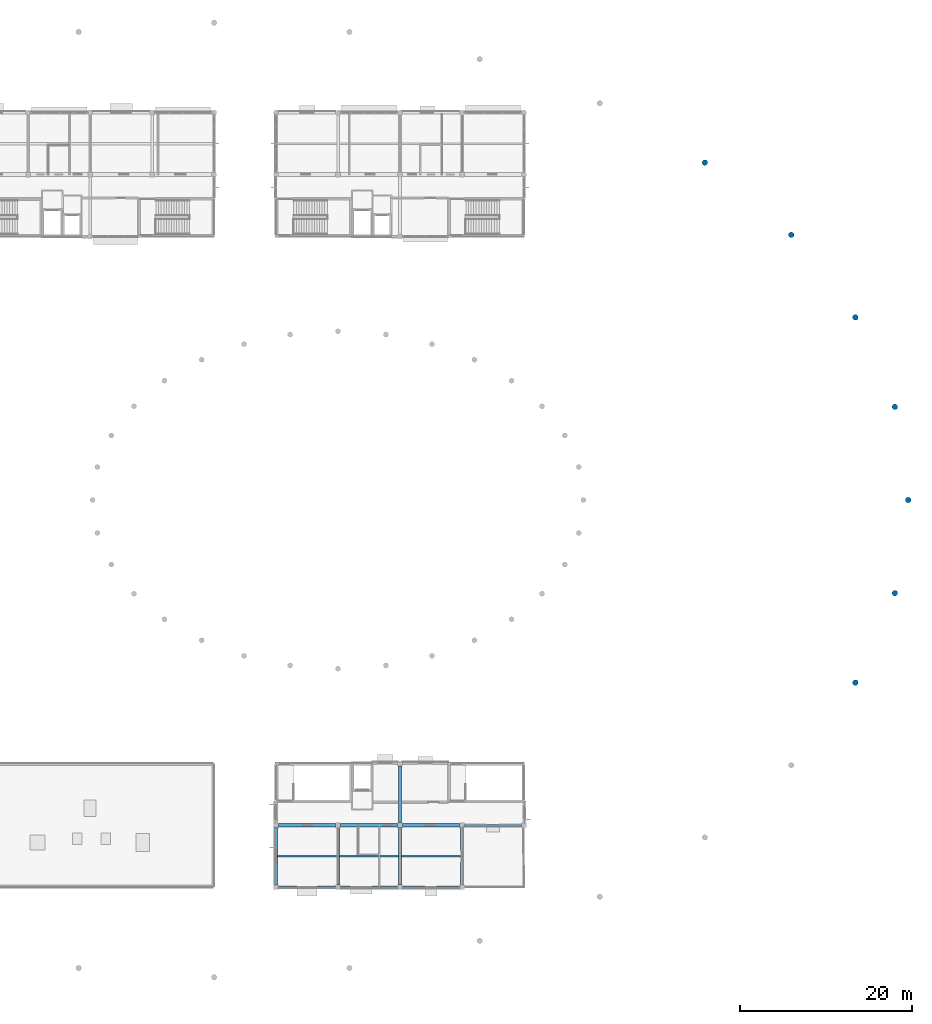
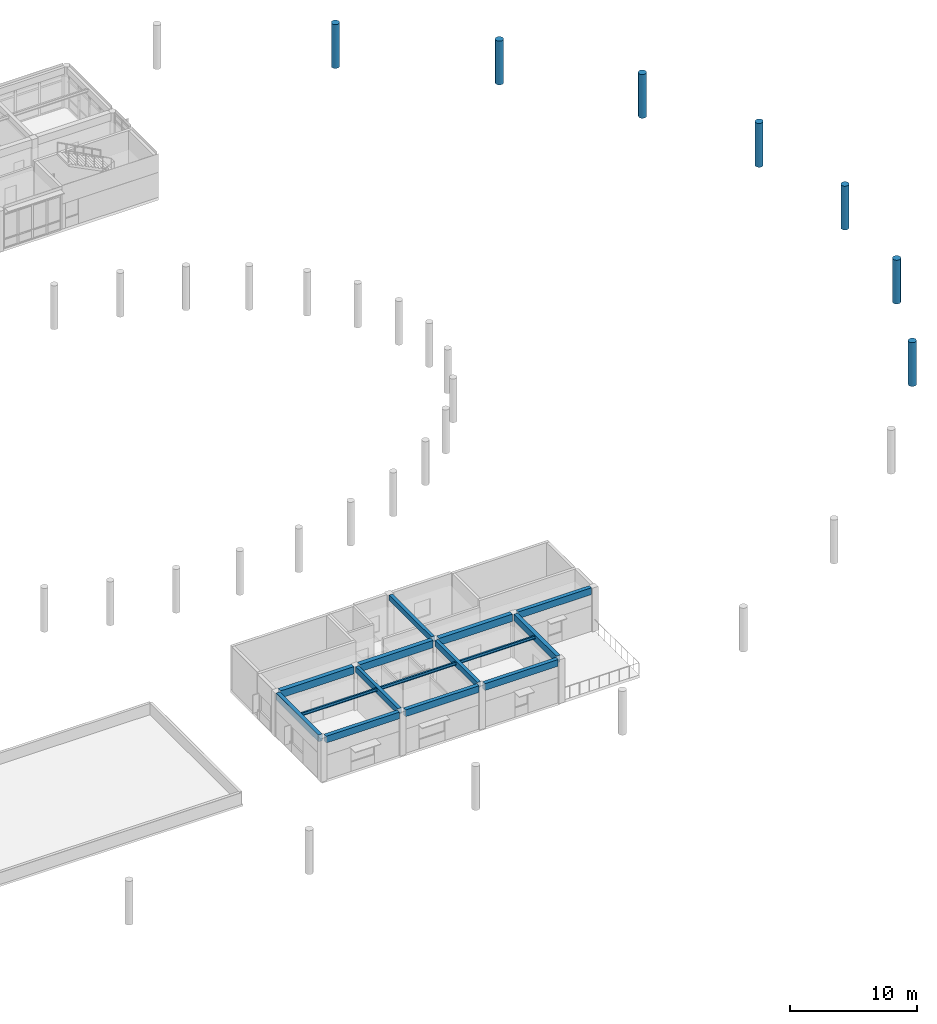
# One storey, part 2 of 29: 15 beams, 7 columns.
"""IFC4 building model written with IfcOpenShell, lengths in metres."""

from ifc_helpers import new_model, si_unit, direction, frame, origin, origin_2d, place, context, subcontext, project, spatial, rectangle, circle, i_section, extrude, material, material_profile, profile_set, type_object, element, save


model = new_model("IFC4")

# Units and contexts
model_context = context("Model", 3, precision=1e-05, world=origin(), true_north=direction((0.0, 1.0)))
body_context = subcontext(model_context, "Body", "Model", "MODEL_VIEW")
ifc_project = project(units=[si_unit("LENGTHUNIT", "METRE"), si_unit("AREAUNIT", "SQUARE_METRE"), si_unit("VOLUMEUNIT", "CUBIC_METRE"), si_unit("PLANEANGLEUNIT", "RADIAN"), si_unit("MASSUNIT", "GRAM", prefix="KILO")], contexts=[model_context])

# Site, building, storey
site_placement = place(None, origin())
site = spatial("IfcSite", under=ifc_project, at=site_placement, CompositionType="ELEMENT")
building_placement = place(site_placement, origin())
building = spatial("IfcBuilding", under=site, at=building_placement, Name="Namkhue Oval Health Centre", CompositionType="ELEMENT")
storey_placement = place(building_placement, frame((0.0, 0.0, 18.0)))
storey = spatial("IfcBuildingStorey", under=building, at=storey_placement, Name="L04", CompositionType="ELEMENT", Elevation=18.0)

# Columns
ifc_material_1 = material(Name="Reinforced concrete C35/45 (TCVN B40)", Category="concrete")
ifc_material_profile_1 = material_profile(ifc_material_1, circle(Radius=0.324951171875, at=origin_2d()), Name="RC D650")
ifc_profile_set_1 = profile_set([ifc_material_profile_1], Name="Reinforced concrete C35/45 (TCVN B40)")
column_type = type_object("IfcColumnType", Name="RC COLUMN D650 EXT", PredefinedType="COLUMN", material=ifc_profile_set_1)
for number, where, z_axis, x_axis, name in (
    (1, (167.0400390625, 59.39990234375, 0.0), (0.0, 0.0, 1.0), (1.0, 0.0, 0.0), "Gridshell OR Colonnade Column 1 L04"),
    (2, (165.490478515625, 70.2158203125, 0.0), (0.0, 0.0, 1.0), (1.0, 0.0, 0.0), "Gridshell OR Colonnade Column 2 L04"),
    (3, (160.901611328125, 80.615966796875, 0.0), (0.0, 0.0, 1.0), (1.0, 0.0, 0.0), "Gridshell OR Colonnade Column 3 L04"),
    (4, (153.44970703125, 90.200927734375, 0.0), (0.0, 0.0, 1.0), (1.0, 0.0, 0.0), "Gridshell OR Colonnade Column 4 L04"),
    (5, (143.421142578125, 98.60205078125, 0.0), (0.0, 0.0, 1.0), (1.0, 0.0, 0.0), "Gridshell OR Colonnade Column 5 L04"),
    (6, (160.901611328125, 38.18408203125, 0.0), (0.0, 0.0, 1.0), (1.0, 0.0, 0.0), "Gridshell OR Colonnade Column 31 L04"),
    (7, (165.490478515625, 48.584228515625, 0.0), (0.0, 0.0, 1.0), (1.0, 0.0, 0.0), "Gridshell OR Colonnade Column 32 L04"),
):
    element("IfcColumn", number, at=place(storey_placement, frame(where, z_axis=z_axis, x_axis=x_axis)), inside=storey, type_object=column_type, Name=name, PredefinedType="COLUMN", context=body_context, shape_type="SweptSolid", body=[
        extrude(circle(Radius=0.324951171875, at=origin_2d()), origin(), (0.0, 0.0, 1.0), 4.199951171875),
    ])

# Beams
ifc_material_2 = material(Name="Reinforced concrete C30/37 (TCVN B35)", Category="concrete")
ifc_material_profile_2 = material_profile(ifc_material_2, rectangle(XDim=0.300048828125, YDim=0.550048828125, at=origin_2d()), Name="RC 300x550")
ifc_profile_set_2 = profile_set([ifc_material_profile_2], Name="Reinforced concrete C30/37 (TCVN B35)")
beam_type_1 = type_object("IfcBeamType", Name="FLOOR BEAM RC 300X550", PredefinedType="BEAM", material=ifc_profile_set_2)
for number, where, z_axis, x_axis, name in (
    (8, (100.800048828125, 14.675048828125, 3.925048828125), (0.0, 1.0, 0.0), (-1.0, 0.0, 0.0), "Volume V5 L05 Beam 15/C-D"),
    (9, (108.0, 14.675048828125, 3.925048828125), (0.0, 1.0, 0.0), (-1.0, 0.0, 0.0), "Volume V5 L05 Beam 16/C-D"),
    (10, (108.0, 21.875, 3.925048828125), (0.0, 1.0, 0.0), (-1.0, 0.0, 0.0), "Volume V5 L05 Beam 16/D-E"),
):
    element("IfcBeam", number, at=place(storey_placement, frame(where, z_axis=z_axis, x_axis=x_axis)), inside=storey, type_object=beam_type_1, Name=name, PredefinedType="BEAM", context=body_context, shape_type="SweptSolid", body=[
        extrude(rectangle(XDim=0.300048828125, YDim=0.550048828125, at=origin_2d()), origin(), (0.0, 0.0, 1.0), 6.64990234375),
    ])
ifc_material_profile_3 = material_profile(ifc_material_1, rectangle(XDim=0.35009765625, YDim=0.64990234375, at=origin_2d()), Name="RC 350x650")
ifc_profile_set_3 = profile_set([ifc_material_profile_3], Name="Reinforced concrete C35/45 (TCVN B40)")
beam_type_2 = type_object("IfcBeamType", Name="PERIMETER SPANDREL BEAM 350X650", PredefinedType="SPANDREL", material=ifc_profile_set_3)
beam_1_placement = place(storey_placement, frame((93.875, 14.39990234375, 3.875), z_axis=(1.0, 0.0, 0.0), x_axis=(0.0, 1.0, 0.0)))
element("IfcBeam", 11, at=beam_1_placement, inside=storey, type_object=beam_type_2, Name="Volume V5 L05 Girder C/14-15", PredefinedType="SPANDREL", context=body_context, shape_type="SweptSolid", body=[
    extrude(rectangle(XDim=0.35009765625, YDim=0.64990234375, at=origin_2d()), origin(), (0.0, 0.0, 1.0), 6.64990234375),
])
for number, where, z_axis, x_axis, name in (
    (12, (101.074951171875, 14.39990234375, 3.875), (1.0, 0.0, 0.0), (0.0, 1.0, 0.0), "Volume V5 L05 Girder C/15-16"),
    (13, (108.27490234375, 14.39990234375, 3.875), (1.0, 0.0, 0.0), (0.0, 1.0, 0.0), "Volume V5 L05 Girder C/16-17"),
):
    element("IfcBeam", number, at=place(storey_placement, frame(where, z_axis=z_axis, x_axis=x_axis)), inside=storey, type_object=beam_type_2, Name=name, PredefinedType="SPANDREL", context=body_context, shape_type="SweptSolid", body=[
        extrude(rectangle(XDim=0.35009765625, YDim=0.64990234375, at=origin_2d()), origin(), (0.0, 0.0, 1.0), 6.650146484375),
    ])
for number, where, z_axis, x_axis, name in (
    (14, (115.47509765625, 21.60009765625, 3.875), (1.0, 0.0, 0.0), (0.0, 1.0, 0.0), "Volume V5 L05 Girder D/17-18"),
    (15, (93.60009765625, 14.675048828125, 3.875), (0.0, 1.0, 0.0), (-1.0, 0.0, 0.0), "Volume V5 L05 Beam 14/C-D"),
    (16, (115.199951171875, 14.675048828125, 3.875), (0.0, 1.0, 0.0), (-1.0, 0.0, 0.0), "Volume V5 L05 Beam 17/C-D"),
):
    element("IfcBeam", number, at=place(storey_placement, frame(where, z_axis=z_axis, x_axis=x_axis)), inside=storey, type_object=beam_type_2, Name=name, PredefinedType="SPANDREL", context=body_context, shape_type="SweptSolid", body=[
        extrude(rectangle(XDim=0.35009765625, YDim=0.64990234375, at=origin_2d()), origin(), (0.0, 0.0, 1.0), 6.64990234375),
    ])
ifc_material_profile_4 = material_profile(ifc_material_1, rectangle(XDim=0.39990234375, YDim=0.699951171875, at=origin_2d()), Name="RC 400x700")
ifc_profile_set_4 = profile_set([ifc_material_profile_4], Name="Reinforced concrete C35/45 (TCVN B40)")
beam_type_3 = type_object("IfcBeamType", Name="PRIMARY GIRDER RC 400X700", PredefinedType="USERDEFINED", material=ifc_profile_set_4)
beam_2_placement = place(storey_placement, frame((93.875, 21.60009765625, 3.85009765625), z_axis=(1.0, 0.0, 0.0), x_axis=(0.0, 1.0, 0.0)))
element("IfcBeam", 17, at=beam_2_placement, inside=storey, type_object=beam_type_3, Name="Volume V5 L05 Girder D/14-15", ObjectType="GIRDER", PredefinedType="USERDEFINED", context=body_context, shape_type="SweptSolid", body=[
    extrude(rectangle(XDim=0.39990234375, YDim=0.699951171875, at=origin_2d()), origin(), (0.0, 0.0, 1.0), 6.64990234375),
])
for number, where, z_axis, x_axis, name in (
    (18, (101.074951171875, 21.60009765625, 3.85009765625), (1.0, 0.0, 0.0), (0.0, 1.0, 0.0), "Volume V5 L05 Girder D/15-16"),
    (19, (108.27490234375, 21.60009765625, 3.85009765625), (1.0, 0.0, 0.0), (0.0, 1.0, 0.0), "Volume V5 L05 Girder D/16-17"),
):
    element("IfcBeam", number, at=place(storey_placement, frame(where, z_axis=z_axis, x_axis=x_axis)), inside=storey, type_object=beam_type_3, Name=name, ObjectType="GIRDER", PredefinedType="USERDEFINED", context=body_context, shape_type="SweptSolid", body=[
        extrude(rectangle(XDim=0.39990234375, YDim=0.699951171875, at=origin_2d()), origin(), (0.0, 0.0, 1.0), 6.650146484375),
    ])
ifc_material_3 = material(Name="Structural steel EN 10025-2 S355JR (TCVN 5575:2024)", Category="steel")
ifc_material_profile_5 = material_profile(ifc_material_3, i_section(OverallWidth=0.14990234375, OverallDepth=0.300048828125, WebThickness=0.007080078125, FlangeThickness=0.0107421875, FilletRadius=0.014892578125, at=origin_2d()), Name="IPE 300")
ifc_profile_set_5 = profile_set([ifc_material_profile_5], Name="Structural steel EN 10025-2 S355JR (TCVN 5575:2024)")
beam_type_4 = type_object("IfcBeamType", Name="SECONDARY JOIST STEEL IPE 300", PredefinedType="JOIST", material=ifc_profile_set_5)
beam_3_placement = place(storey_placement, frame((93.77490234375, 18.0, 4.050048828125), z_axis=(1.0, 0.0, 0.0), x_axis=(0.0, 1.0, 0.0)))
element("IfcBeam", 20, at=beam_3_placement, inside=storey, type_object=beam_type_4, Name="Volume V5 L05 Secondary Joist 14-15", PredefinedType="JOIST", context=body_context, shape_type="SweptSolid", body=[
    extrude(i_section(OverallWidth=0.14990234375, OverallDepth=0.300048828125, WebThickness=0.007080078125, FlangeThickness=0.0107421875, FilletRadius=0.014892578125, at=origin_2d()), origin(), (0.0, 0.0, 1.0), 6.875),
])
beam_4_placement = place(storey_placement, frame((100.949951171875, 18.0, 4.050048828125), z_axis=(1.0, 0.0, 0.0), x_axis=(0.0, 1.0, 0.0)))
element("IfcBeam", 21, at=beam_4_placement, inside=storey, type_object=beam_type_4, Name="Volume V5 L05 Secondary Joist 15-16", PredefinedType="JOIST", context=body_context, shape_type="SweptSolid", body=[
    extrude(i_section(OverallWidth=0.14990234375, OverallDepth=0.300048828125, WebThickness=0.007080078125, FlangeThickness=0.0107421875, FilletRadius=0.014892578125, at=origin_2d()), origin(), (0.0, 0.0, 1.0), 6.900146484375),
])
beam_5_placement = place(storey_placement, frame((108.14990234375, 18.0, 4.050048828125), z_axis=(1.0, 0.0, 0.0), x_axis=(0.0, 1.0, 0.0)))
element("IfcBeam", 22, at=beam_5_placement, inside=storey, type_object=beam_type_4, Name="Volume V5 L05 Secondary Joist 16-17", PredefinedType="JOIST", context=body_context, shape_type="SweptSolid", body=[
    extrude(i_section(OverallWidth=0.14990234375, OverallDepth=0.300048828125, WebThickness=0.007080078125, FlangeThickness=0.0107421875, FilletRadius=0.014892578125, at=origin_2d()), origin(), (0.0, 0.0, 1.0), 6.875),
])

save(model, "model.ifc")
